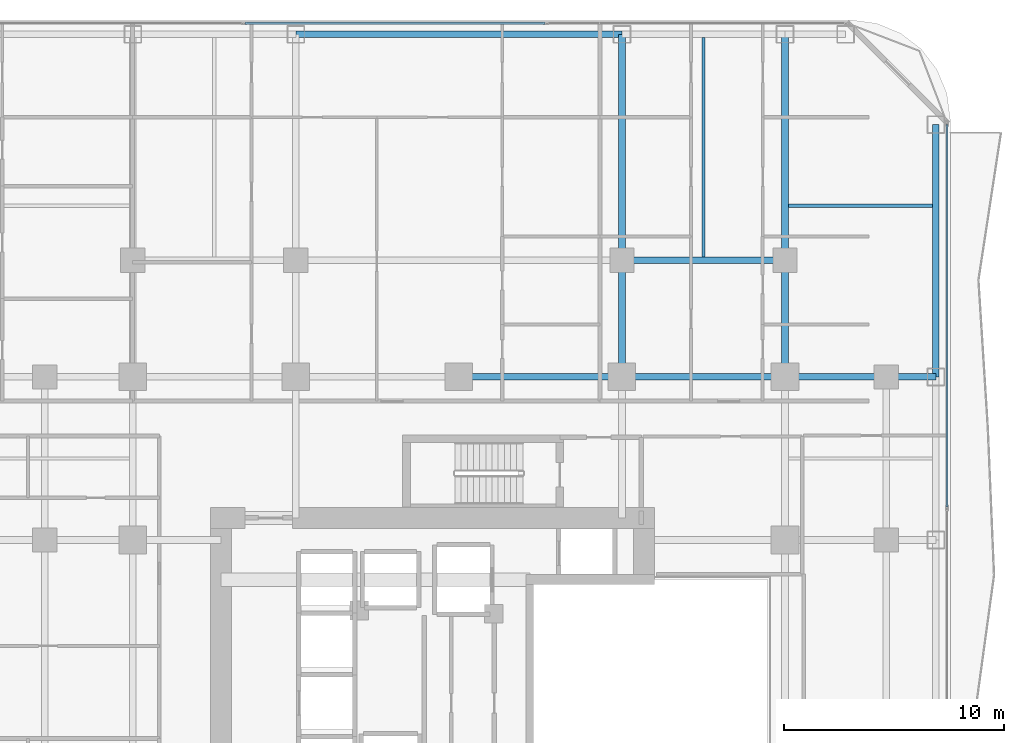
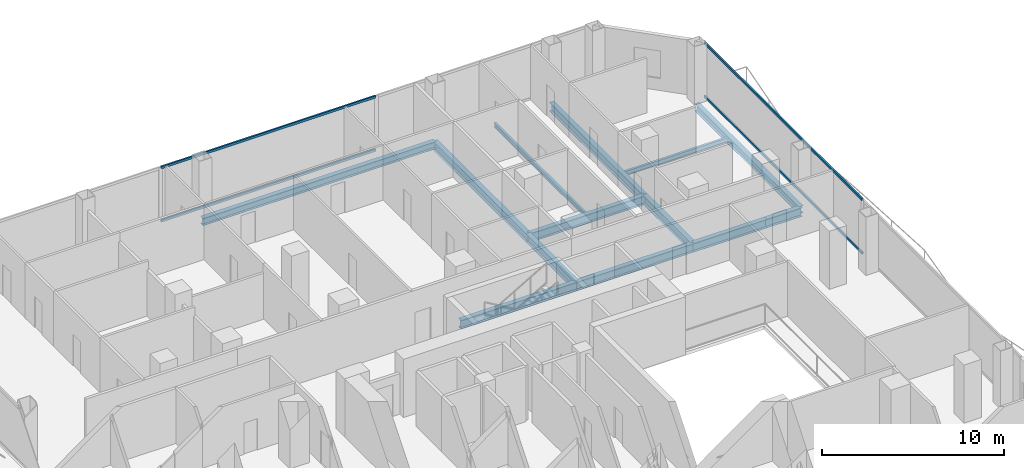
# One storey, part 16 of 27: 13 beams, 4 members, 2 elements without a shape of their own.
"""IFC4 building model written with IfcOpenShell, lengths in metres."""

from ifc_helpers import new_model, si_unit, direction, frame, origin, origin_2d, place, context, subcontext, project, spatial, hollow_rectangle, i_section, extrude, material, layer, layer_set, material_profile, profile_set, type_object, element, aggregate, save


model = new_model("IFC4")

# Units and contexts
model_context = context("Model", 3, precision=1e-05, world=origin(), true_north=direction((0.0, 1.0)))
body_context = subcontext(model_context, "Body", "Model", "MODEL_VIEW")
ifc_project = project(units=[si_unit("LENGTHUNIT", "METRE"), si_unit("AREAUNIT", "SQUARE_METRE"), si_unit("VOLUMEUNIT", "CUBIC_METRE"), si_unit("PLANEANGLEUNIT", "RADIAN"), si_unit("MASSUNIT", "GRAM", prefix="KILO")], contexts=[model_context])

# Site, building, storey
site_placement = place(None, origin())
site = spatial("IfcSite", under=ifc_project, at=site_placement, CompositionType="ELEMENT")
building_placement = place(site_placement, origin())
building = spatial("IfcBuilding", under=site, at=building_placement, Name="Khorvyn Point Tower", CompositionType="ELEMENT")
storey_placement = place(building_placement, frame((0.0, 0.0, 96.89990234375)))
storey = spatial("IfcBuildingStorey", under=building, at=storey_placement, Name="L24", CompositionType="ELEMENT", Elevation=96.89990234375)

# Curtain wall, members
ifc_material_1 = material(Name="Anodised aluminium 6063-T6 and laminated Low-E glass", Category="aluminium")
ifc_layer = layer(ifc_material_1, 0.18994140625)
ifc_layer_set = layer_set([ifc_layer], Name="Stick-Built Finned Residential Curtain Wall CW-SYS-02")
curtain_wall_type = type_object("IfcCurtainWallType", Name="Stick-Built Finned Residential Curtain Wall CW-SYS-02", PredefinedType="NOTDEFINED", material=ifc_layer_set)
curtain_wall_1_placement = place(storey_placement, origin())
curtain_wall_1 = element("IfcCurtainWall", 1, at=curtain_wall_1_placement, inside=storey, type_object=curtain_wall_type, Name="Curtain Wall", PredefinedType="NOTDEFINED")
ifc_material_2 = material(Name="Anodised aluminium 6063-T6", Category="aluminium")
ifc_material_profile_1 = material_profile(ifc_material_2, hollow_rectangle(XDim=0.10009765625, YDim=0.159912109375, WallThickness=0.00439453125, at=origin_2d()))
ifc_profile_set_1 = profile_set([ifc_material_profile_1], Name="Anodised aluminium 6063-T6 ALU-TRN-100x160")
member_type = type_object("IfcMemberType", Name="Anodised Aluminium 6063-T6 Transom ALU-TRN-100x160", PredefinedType="USERDEFINED", material=ifc_profile_set_1)
member_1_placement = place(storey_placement, frame((-9.699951171875, 30.85009765625, 0.050048828125), z_axis=(1.0, 0.0, 0.0), x_axis=(0.0, 1.0, 0.0)))
member_1 = element("IfcMember", 2, at=member_1_placement, type_object=member_type, Name="Transom", ObjectType="TRANSOM", PredefinedType="USERDEFINED", context=body_context, shape_type="SweptSolid", body=[
    extrude(hollow_rectangle(XDim=0.10009765625, YDim=0.159912109375, WallThickness=0.00439453125, at=origin_2d()), origin(), (0.0, 0.0, 1.0), 13.599853515625),
])
member_2_placement = place(storey_placement, frame((-9.699951171875, 30.85009765625, 3.630126953125), z_axis=(1.0, 0.0, 0.0), x_axis=(0.0, 1.0, 0.0)))
member_2 = element("IfcMember", 3, at=member_2_placement, type_object=member_type, Name="Transom", ObjectType="TRANSOM", PredefinedType="USERDEFINED", context=body_context, shape_type="SweptSolid", body=[
    extrude(hollow_rectangle(XDim=0.10009765625, YDim=0.159912109375, WallThickness=0.00439453125, at=origin_2d()), origin(), (0.0, 0.0, 1.0), 13.599853515625),
])
aggregate(curtain_wall_1, [member_1, member_2])

curtain_wall_2_placement = place(storey_placement, origin())
curtain_wall_2 = element("IfcCurtainWall", 4, at=curtain_wall_2_placement, inside=storey, type_object=curtain_wall_type, Name="Curtain Wall", PredefinedType="NOTDEFINED")
member_3_placement = place(storey_placement, frame((22.14990234375, 26.25, 0.050048828125), z_axis=(0.0, -1.0, 0.0), x_axis=(1.0, 0.0, 0.0)))
member_3 = element("IfcMember", 5, at=member_3_placement, type_object=member_type, Name="Transom", ObjectType="TRANSOM", PredefinedType="USERDEFINED", context=body_context, shape_type="SweptSolid", body=[
    extrude(hollow_rectangle(XDim=0.10009765625, YDim=0.159912109375, WallThickness=0.00439453125, at=origin_2d()), origin(), (0.0, 0.0, 1.0), 17.348388671875),
])
member_4_placement = place(storey_placement, frame((22.14990234375, 26.25, 3.630126953125), z_axis=(0.0, -1.0, 0.0), x_axis=(1.0, 0.0, 0.0)))
member_4 = element("IfcMember", 6, at=member_4_placement, type_object=member_type, Name="Transom", ObjectType="TRANSOM", PredefinedType="USERDEFINED", context=body_context, shape_type="SweptSolid", body=[
    extrude(hollow_rectangle(XDim=0.10009765625, YDim=0.159912109375, WallThickness=0.00439453125, at=origin_2d()), origin(), (0.0, 0.0, 1.0), 17.348388671875),
])
aggregate(curtain_wall_2, [member_3, member_4])

# Beams
ifc_material_3 = material(Name="Steel S355", Category="steel")
ifc_material_profile_2 = material_profile(ifc_material_3, i_section(OverallWidth=0.300048828125, OverallDepth=0.587890625, WebThickness=0.011962890625, FlangeThickness=0.02001953125, at=origin_2d()))
ifc_profile_set_2 = profile_set([ifc_material_profile_2], Name="Steel S355 H588x300x12x20")
beam_type_1 = type_object("IfcBeamType", Name="Steel S355 Beam H588x300x12x20", PredefinedType="BEAM", material=ifc_profile_set_2)
beam_1_placement = place(storey_placement, frame((0.0, 14.800048828125, -0.513916015625), z_axis=(1.0, 0.0, 0.0), x_axis=(0.0, 1.0, 0.0)))
element("IfcBeam", 7, at=beam_1_placement, inside=storey, type_object=beam_type_1, Name="Beam", PredefinedType="BEAM", context=body_context, shape_type="SweptSolid", body=[
    extrude(i_section(OverallWidth=0.300048828125, OverallDepth=0.587890625, WebThickness=0.011962890625, FlangeThickness=0.02001953125, at=origin_2d()), origin(), (0.0, 0.0, 1.0), 7.39990234375),
])
beam_2_placement = place(storey_placement, frame((7.39990234375, 14.800048828125, -0.513916015625), z_axis=(1.0, 0.0, 0.0), x_axis=(0.0, 1.0, 0.0)))
element("IfcBeam", 8, at=beam_2_placement, inside=storey, type_object=beam_type_1, Name="Beam", PredefinedType="BEAM", context=body_context, shape_type="SweptSolid", body=[
    extrude(i_section(OverallWidth=0.300048828125, OverallDepth=0.587890625, WebThickness=0.011962890625, FlangeThickness=0.02001953125, at=origin_2d()), origin(), (0.0, 0.0, 1.0), 7.400146484375),
])
beam_3_placement = place(storey_placement, frame((14.800048828125, 14.800048828125, -0.513916015625), z_axis=(1.0, 0.0, 0.0), x_axis=(0.0, 1.0, 0.0)))
element("IfcBeam", 9, at=beam_3_placement, inside=storey, type_object=beam_type_1, Name="Beam", PredefinedType="BEAM", context=body_context, shape_type="SweptSolid", body=[
    extrude(i_section(OverallWidth=0.300048828125, OverallDepth=0.587890625, WebThickness=0.011962890625, FlangeThickness=0.02001953125, at=origin_2d()), origin(), (0.0, 0.0, 1.0), 4.599853515625),
])
beam_4_placement = place(storey_placement, frame((19.39990234375, 14.800048828125, -0.513916015625), z_axis=(1.0, 0.0, 0.0), x_axis=(0.0, 1.0, 0.0)))
element("IfcBeam", 10, at=beam_4_placement, inside=storey, type_object=beam_type_1, Name="Beam", PredefinedType="BEAM", context=body_context, shape_type="SweptSolid", body=[
    extrude(i_section(OverallWidth=0.300048828125, OverallDepth=0.587890625, WebThickness=0.011962890625, FlangeThickness=0.02001953125, at=origin_2d()), origin(), (0.0, 0.0, 1.0), 2.25),
])
beam_5_placement = place(storey_placement, frame((7.39990234375, 20.10009765625, -0.513916015625), z_axis=(1.0, 0.0, 0.0), x_axis=(0.0, 1.0, 0.0)))
element("IfcBeam", 11, at=beam_5_placement, inside=storey, type_object=beam_type_1, Name="Beam", PredefinedType="BEAM", context=body_context, shape_type="SweptSolid", body=[
    extrude(i_section(OverallWidth=0.300048828125, OverallDepth=0.587890625, WebThickness=0.011962890625, FlangeThickness=0.02001953125, at=origin_2d()), origin(), (0.0, 0.0, 1.0), 7.400146484375),
])
beam_6_placement = place(storey_placement, frame((14.800048828125, 14.800048828125, -0.513916015625), z_axis=(0.0, 1.0, 0.0), x_axis=(-1.0, 0.0, 0.0)))
element("IfcBeam", 12, at=beam_6_placement, inside=storey, type_object=beam_type_1, Name="Beam", PredefinedType="BEAM", context=body_context, shape_type="SweptSolid", body=[
    extrude(i_section(OverallWidth=0.300048828125, OverallDepth=0.587890625, WebThickness=0.011962890625, FlangeThickness=0.02001953125, at=origin_2d()), origin(), (0.0, 0.0, 1.0), 5.300048828125),
])
beam_7_placement = place(storey_placement, frame((14.800048828125, 20.10009765625, -0.513916015625), z_axis=(0.0, 1.0, 0.0), x_axis=(-1.0, 0.0, 0.0)))
element("IfcBeam", 13, at=beam_7_placement, inside=storey, type_object=beam_type_1, Name="Beam", PredefinedType="BEAM", context=body_context, shape_type="SweptSolid", body=[
    extrude(i_section(OverallWidth=0.300048828125, OverallDepth=0.587890625, WebThickness=0.011962890625, FlangeThickness=0.02001953125, at=origin_2d()), origin(), (0.0, 0.0, 1.0), 10.25),
])
beam_8_placement = place(storey_placement, frame((7.39990234375, 14.800048828125, -0.513916015625), z_axis=(0.0, 1.0, 0.0), x_axis=(-1.0, 0.0, 0.0)))
element("IfcBeam", 14, at=beam_8_placement, inside=storey, type_object=beam_type_1, Name="Beam", PredefinedType="BEAM", context=body_context, shape_type="SweptSolid", body=[
    extrude(i_section(OverallWidth=0.300048828125, OverallDepth=0.587890625, WebThickness=0.011962890625, FlangeThickness=0.02001953125, at=origin_2d()), origin(), (0.0, 0.0, 1.0), 5.300048828125),
])
beam_9_placement = place(storey_placement, frame((7.39990234375, 20.10009765625, -0.513916015625), z_axis=(0.0, 1.0, 0.0), x_axis=(-1.0, 0.0, 0.0)))
element("IfcBeam", 15, at=beam_9_placement, inside=storey, type_object=beam_type_1, Name="Beam", PredefinedType="BEAM", context=body_context, shape_type="SweptSolid", body=[
    extrude(i_section(OverallWidth=0.300048828125, OverallDepth=0.587890625, WebThickness=0.011962890625, FlangeThickness=0.02001953125, at=origin_2d()), origin(), (0.0, 0.0, 1.0), 10.25),
])
ifc_material_profile_3 = material_profile(ifc_material_3, i_section(OverallWidth=0.14990234375, OverallDepth=0.300048828125, WebThickness=0.006591796875, FlangeThickness=0.009033203125, at=origin_2d()))
ifc_profile_set_3 = profile_set([ifc_material_profile_3], Name="Steel S355 H300x150x6.5x9")
beam_type_2 = type_object("IfcBeamType", Name="Steel S355 Joist H300x150x6.5x9", PredefinedType="JOIST", material=ifc_profile_set_3)
beam_10_placement = place(storey_placement, frame((11.10009765625, 20.25, -0.369873046875), z_axis=(0.0, 1.0, 0.0), x_axis=(-1.0, 0.0, 0.0)))
element("IfcBeam", 16, at=beam_10_placement, inside=storey, type_object=beam_type_2, Name="Beam", PredefinedType="JOIST", context=body_context, shape_type="SweptSolid", body=[
    extrude(i_section(OverallWidth=0.14990234375, OverallDepth=0.300048828125, WebThickness=0.006591796875, FlangeThickness=0.009033203125, at=origin_2d()), origin(), (0.0, 0.0, 1.0), 9.949951171875),
])
beam_11_placement = place(storey_placement, frame((14.949951171875, 22.574951171875, -0.369873046875), z_axis=(1.0, 0.0, 0.0), x_axis=(0.0, 1.0, 0.0)))
element("IfcBeam", 17, at=beam_11_placement, inside=storey, type_object=beam_type_2, Name="Beam", PredefinedType="JOIST", context=body_context, shape_type="SweptSolid", body=[
    extrude(i_section(OverallWidth=0.14990234375, OverallDepth=0.300048828125, WebThickness=0.006591796875, FlangeThickness=0.009033203125, at=origin_2d()), origin(), (0.0, 0.0, 1.0), 6.550048828125),
])
ifc_material_profile_4 = material_profile(ifc_material_3, i_section(OverallWidth=0.300048828125, OverallDepth=0.488037109375, WebThickness=0.010986328125, FlangeThickness=0.01806640625, at=origin_2d()))
ifc_profile_set_4 = profile_set([ifc_material_profile_4], Name="Steel S355 H488x300x11x18")
beam_type_3 = type_object("IfcBeamType", Name="Steel S355 Spandrel H488x300x11x18", PredefinedType="SPANDREL", material=ifc_profile_set_4)
beam_12_placement = place(storey_placement, frame((-7.39990234375, 30.35009765625, -0.4638671875), z_axis=(1.0, 0.0, 0.0), x_axis=(0.0, 1.0, 0.0)))
element("IfcBeam", 18, at=beam_12_placement, inside=storey, type_object=beam_type_3, Name="Beam", PredefinedType="SPANDREL", context=body_context, shape_type="SweptSolid", body=[
    extrude(i_section(OverallWidth=0.300048828125, OverallDepth=0.488037109375, WebThickness=0.010986328125, FlangeThickness=0.01806640625, at=origin_2d()), origin(), (0.0, 0.0, 1.0), 14.7998046875),
])
beam_13_placement = place(storey_placement, frame((21.64990234375, 14.800048828125, -0.4638671875), z_axis=(0.0, 1.0, 0.0), x_axis=(-1.0, 0.0, 0.0)))
element("IfcBeam", 19, at=beam_13_placement, inside=storey, type_object=beam_type_3, Name="Beam", PredefinedType="SPANDREL", context=body_context, shape_type="SweptSolid", body=[
    extrude(i_section(OverallWidth=0.300048828125, OverallDepth=0.488037109375, WebThickness=0.010986328125, FlangeThickness=0.01806640625, at=origin_2d()), origin(), (0.0, 0.0, 1.0), 11.449951171875),
])

save(model, "model.ifc")
